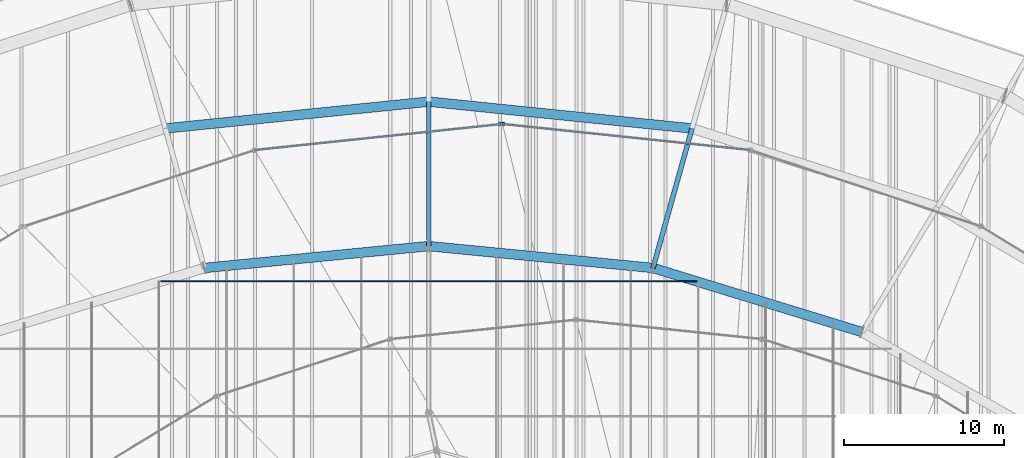
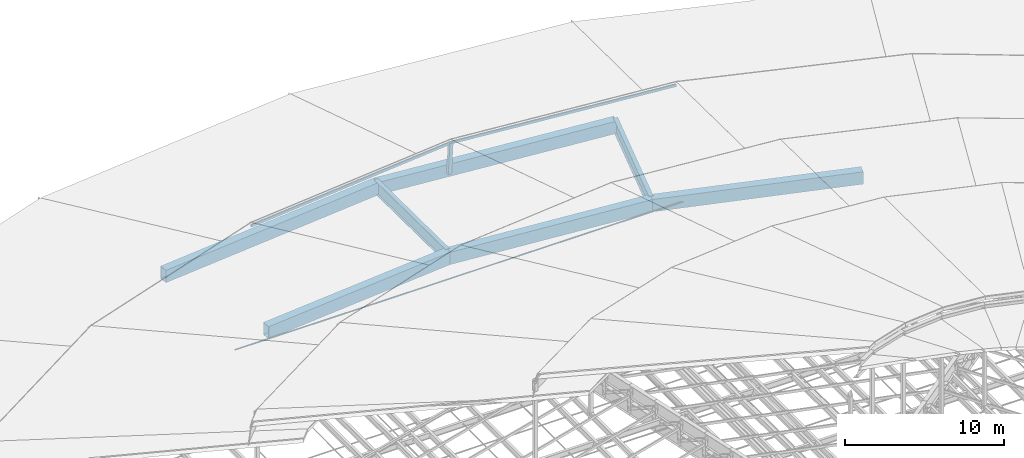
# One storey, part 123 of 184: 7 beams, 4 members.
"""IFC4 building model written with IfcOpenShell, lengths in metres."""

from ifc_helpers import new_model, si_unit, direction, frame, origin, origin_2d, place, context, subcontext, project, spatial, hollow_rectangle, circle, i_section, extrude, material, material_profile, profile_set, type_object, element, save


model = new_model("IFC4")

# Units and contexts
model_context = context("Model", 3, precision=1e-05, world=origin(), true_north=direction((0.0, 1.0)))
body_context = subcontext(model_context, "Body", "Model", "MODEL_VIEW")
ifc_project = project(units=[si_unit("LENGTHUNIT", "METRE"), si_unit("AREAUNIT", "SQUARE_METRE"), si_unit("VOLUMEUNIT", "CUBIC_METRE"), si_unit("PLANEANGLEUNIT", "RADIAN"), si_unit("MASSUNIT", "GRAM", prefix="KILO")], contexts=[model_context])

# Site, building, storey
site_placement = place(None, origin())
site = spatial("IfcSite", under=ifc_project, at=site_placement, CompositionType="ELEMENT")
building_placement = place(site_placement, origin())
building = spatial("IfcBuilding", under=site, at=building_placement, Name="Kalgoora Escarpment Arena", CompositionType="ELEMENT")
storey_placement = place(building_placement, frame((0.0, 0.0, 27.60009765625)))
storey = spatial("IfcBuildingStorey", under=building, at=storey_placement, Name="Roof Level", CompositionType="ELEMENT", Elevation=27.60009765625)

# Beams
ifc_material_1 = material(Name="Structural steel Grade 350 (350 MPa)", Category="steel")
ifc_material_profile_1 = material_profile(ifc_material_1, hollow_rectangle(XDim=0.60009765625, YDim=0.949951171875, WallThickness=0.02490234375, at=origin_2d()))
ifc_profile_set_1 = profile_set([ifc_material_profile_1], Name="Structural steel Grade 350 (350 MPa)")
beam_type_1 = type_object("IfcBeamType", Name="BM-RING-BOX950", PredefinedType="USERDEFINED", material=ifc_profile_set_1)
beam_1_placement = place(storey_placement, frame((119.39990234375, 98.64111328125, -1.25), z_axis=(-0.956014681671, 0.293318817038, 0.0), x_axis=(-0.293318817038, -0.956014681671, 0.0)))
element("IfcBeam", 1, at=beam_1_placement, inside=storey, type_object=beam_type_1, Name="Bowl compression RING BEAM chord 05", ObjectType="GIRDER", PredefinedType="USERDEFINED", context=body_context, shape_type="SweptSolid", body=[
    extrude(hollow_rectangle(XDim=0.60009765625, YDim=0.949951171875, WallThickness=0.02490234375, at=origin_2d()), origin(), (0.0, 0.0, 1.0), 13.622802734375),
])
beam_2_placement = place(storey_placement, frame((108.80908203125, 111.330322265625, -1.35009765625), z_axis=(-0.994863052963, 0.101229965173, 0.0), x_axis=(-0.101229965173, -0.994863052963, 0.0)))
element("IfcBeam", 2, at=beam_2_placement, inside=storey, type_object=beam_type_1, Name="Concourse roof RING BEAM chord 06", ObjectType="GIRDER", PredefinedType="USERDEFINED", context=body_context, shape_type="SweptSolid", body=[
    extrude(hollow_rectangle(XDim=0.60009765625, YDim=0.949951171875, WallThickness=0.02490234375, at=origin_2d()), origin(), (0.0, 0.0, 1.0), 16.493896484375),
])
beam_3_placement = place(storey_placement, frame((106.376220703125, 102.636962890625, -1.25), z_axis=(-0.995278116569, 0.097064260569, 0.0), x_axis=(-0.097064260569, -0.995278116569, 0.0)))
element("IfcBeam", 3, at=beam_3_placement, inside=storey, type_object=beam_type_1, Name="Bowl compression RING BEAM chord 06", ObjectType="GIRDER", PredefinedType="USERDEFINED", context=body_context, shape_type="SweptSolid", body=[
    extrude(hollow_rectangle(XDim=0.60009765625, YDim=0.949951171875, WallThickness=0.02490234375, at=origin_2d()), origin(), (0.0, 0.0, 1.0), 14.042724609375),
])
beam_4_placement = place(storey_placement, frame((92.39990234375, 113.0, -1.35009765625), z_axis=(-0.994862901278, -0.10123145589, 0.0), x_axis=(0.10123145589, -0.994862901278, 0.0)))
element("IfcBeam", 4, at=beam_4_placement, inside=storey, type_object=beam_type_1, Name="Concourse roof RING BEAM chord 07", ObjectType="GIRDER", PredefinedType="USERDEFINED", context=body_context, shape_type="SweptSolid", body=[
    extrude(hollow_rectangle(XDim=0.60009765625, YDim=0.949951171875, WallThickness=0.02490234375, at=origin_2d()), origin(), (0.0, 0.0, 1.0), 16.49365234375),
])
beam_5_placement = place(storey_placement, frame((92.39990234375, 104.0, -1.25), z_axis=(-0.995277952766, -0.097065940158, 0.0), x_axis=(0.097065940158, -0.995277952766, 0.0)))
element("IfcBeam", 5, at=beam_5_placement, inside=storey, type_object=beam_type_1, Name="Bowl compression RING BEAM chord 07", ObjectType="GIRDER", PredefinedType="USERDEFINED", context=body_context, shape_type="SweptSolid", body=[
    extrude(hollow_rectangle(XDim=0.60009765625, YDim=0.949951171875, WallThickness=0.02490234375, at=origin_2d()), origin(), (0.0, 0.0, 1.0), 14.04248046875),
])
ifc_material_2 = material(Name="Structural steel Grade 350 (350 MPa)", Category="steel")
ifc_material_profile_2 = material_profile(ifc_material_2, i_section(OverallWidth=0.300048828125, OverallDepth=1.010009765625, WebThickness=0.01611328125, FlangeThickness=0.030029296875, at=origin_2d()))
ifc_profile_set_2 = profile_set([ifc_material_profile_2], Name="Structural steel Grade 350 (350 MPa)")
beam_type_2 = type_object("IfcBeamType", Name="BM-TRUSS-CHORD", PredefinedType="USERDEFINED", material=ifc_profile_set_2)
beam_6_placement = place(storey_placement, frame((108.80908203125, 111.330322265625, -1.300048828125), z_axis=(-0.269482027297, -0.962941899448, 0.01106052676), x_axis=(0.963000805722, -0.269498512386, 0.0)))
element("IfcBeam", 6, at=beam_6_placement, inside=storey, type_object=beam_type_2, Name="Inner radial petal support girder R06", ObjectType="GIRDER", PredefinedType="USERDEFINED", context=body_context, shape_type="SweptSolid", body=[
    extrude(i_section(OverallWidth=0.300048828125, OverallDepth=1.010009765625, WebThickness=0.01611328125, FlangeThickness=0.030029296875, at=origin_2d()), origin(), (0.0, 0.0, 1.0), 9.02783203125),
])
beam_7_placement = place(storey_placement, frame((92.39990234375, 113.0, -1.300048828125), z_axis=(0.0, -0.999938457999, 0.011094152271), x_axis=(1.0, 0.0, 0.0)))
element("IfcBeam", 7, at=beam_7_placement, inside=storey, type_object=beam_type_2, Name="Inner radial petal support girder R07", ObjectType="GIRDER", PredefinedType="USERDEFINED", context=body_context, shape_type="SweptSolid", body=[
    extrude(i_section(OverallWidth=0.300048828125, OverallDepth=1.010009765625, WebThickness=0.01611328125, FlangeThickness=0.030029296875, at=origin_2d()), origin(), (0.0, 0.0, 1.0), 9.00048828125),
])

# Members
ifc_material_3 = material(Name="High-tensile spiral strand steel Grade 450 (350 MPa)", Category="steel")
ifc_material_profile_3 = material_profile(ifc_material_3, circle(Radius=0.035888671875, at=origin_2d()))
ifc_profile_set_3 = profile_set([ifc_material_profile_3], Name="High-tensile spiral strand steel Grade 450 (350 MPa)")
member_type_1 = type_object("IfcMemberType", Name="MEM-CABLE-72", PredefinedType="USERDEFINED", material=ifc_profile_set_3)
member_1_placement = place(storey_placement, frame((75.69580078125, 101.800048828125, -1.25), z_axis=(1.0, 0.0, 0.0), x_axis=(0.0, 1.0, 0.0)))
element("IfcMember", 8, at=member_1_placement, inside=storey, type_object=member_type_1, Name="Roof saddle hanging cable X-18", ObjectType="CABLE", PredefinedType="USERDEFINED", context=body_context, shape_type="SweptSolid", body=[
    extrude(circle(Radius=0.035888671875, at=origin_2d()), origin(), (0.0, 0.0, 1.0), 33.408447265625),
])
ifc_material_4 = material(Name="Structural steel C450 (450 MPa)", Category="steel")
ifc_material_profile_4 = material_profile(ifc_material_4, hollow_rectangle(XDim=0.25, YDim=0.25, WallThickness=0.012451171875, at=origin_2d()))
ifc_profile_set_4 = profile_set([ifc_material_profile_4], Name="Structural steel C450 (450 MPa)")
member_type_2 = type_object("IfcMemberType", Name="MEM-PETAL-POST", PredefinedType="POST", material=ifc_profile_set_4)
member_2_placement = place(storey_placement, frame((96.8798828125, 111.60009765625, -1.080078125), z_axis=(0.051156252532, 0.0, 0.99869066173), x_axis=(0.0, 1.0, 0.0)))
element("IfcMember", 9, at=member_2_placement, inside=storey, type_object=member_type_2, Name="Petal RP2 vertical support post S07", PredefinedType="POST", context=body_context, shape_type="SweptSolid", body=[
    extrude(hollow_rectangle(XDim=0.25, YDim=0.25, WallThickness=0.012451171875, at=origin_2d()), origin(), (0.0, 0.0, 1.0), 2.34814453125),
])
ifc_material_5 = material(Name="Structural steel C350 (350 MPa)", Category="steel")
ifc_material_profile_5 = material_profile(ifc_material_5, hollow_rectangle(XDim=0.10009765625, YDim=0.199951171875, WallThickness=0.009033203125, at=origin_2d()))
ifc_profile_set_5 = profile_set([ifc_material_profile_5], Name="Structural steel C350 (350 MPa)")
member_type_3 = type_object("IfcMemberType", Name="MEM-PURLIN-RHS", PredefinedType="PURLIN", material=ifc_profile_set_5)
for number, where, z_axis, x_axis, name in (
    (10, (112.425537109375, 109.97802734375, 1.244873046875), (-0.994516659455, 0.104578267658, 0.0), (-0.104578267658, -0.994516659455, 0.0), "Petal RP2 eave support ring purlin S06"),
    (11, (97.0, 111.60009765625, 1.244873046875), (-0.994516659455, -0.104578267658, 0.0), (0.104578267658, -0.994516659455, 0.0), "Petal RP2 eave support ring purlin S07"),
):
    element("IfcMember", number, at=place(storey_placement, frame(where, z_axis=z_axis, x_axis=x_axis)), inside=storey, type_object=member_type_3, Name=name, PredefinedType="PURLIN", context=body_context, shape_type="SweptSolid", body=[
        extrude(hollow_rectangle(XDim=0.10009765625, YDim=0.199951171875, WallThickness=0.009033203125, at=origin_2d()), origin(), (0.0, 0.0, 1.0), 15.510498046875),
    ])

save(model, "model.ifc")
